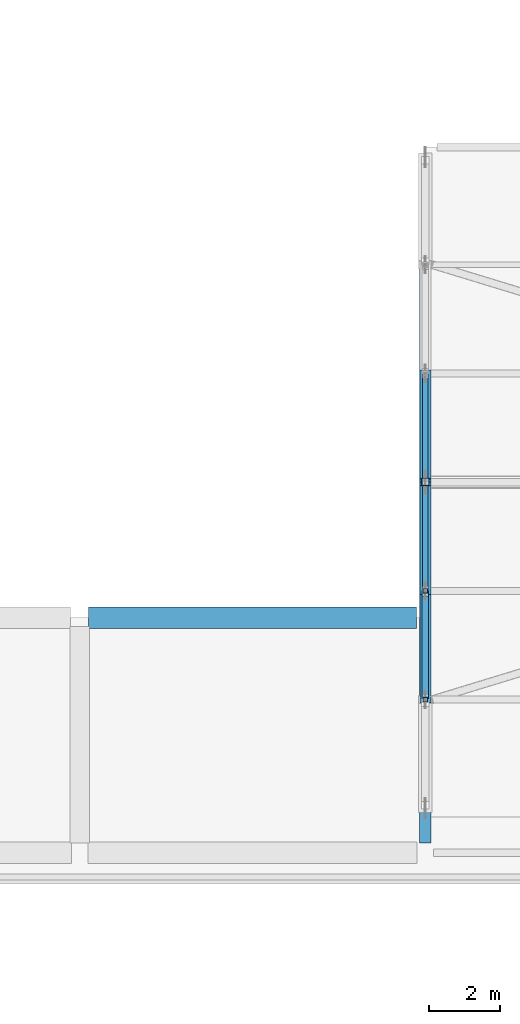
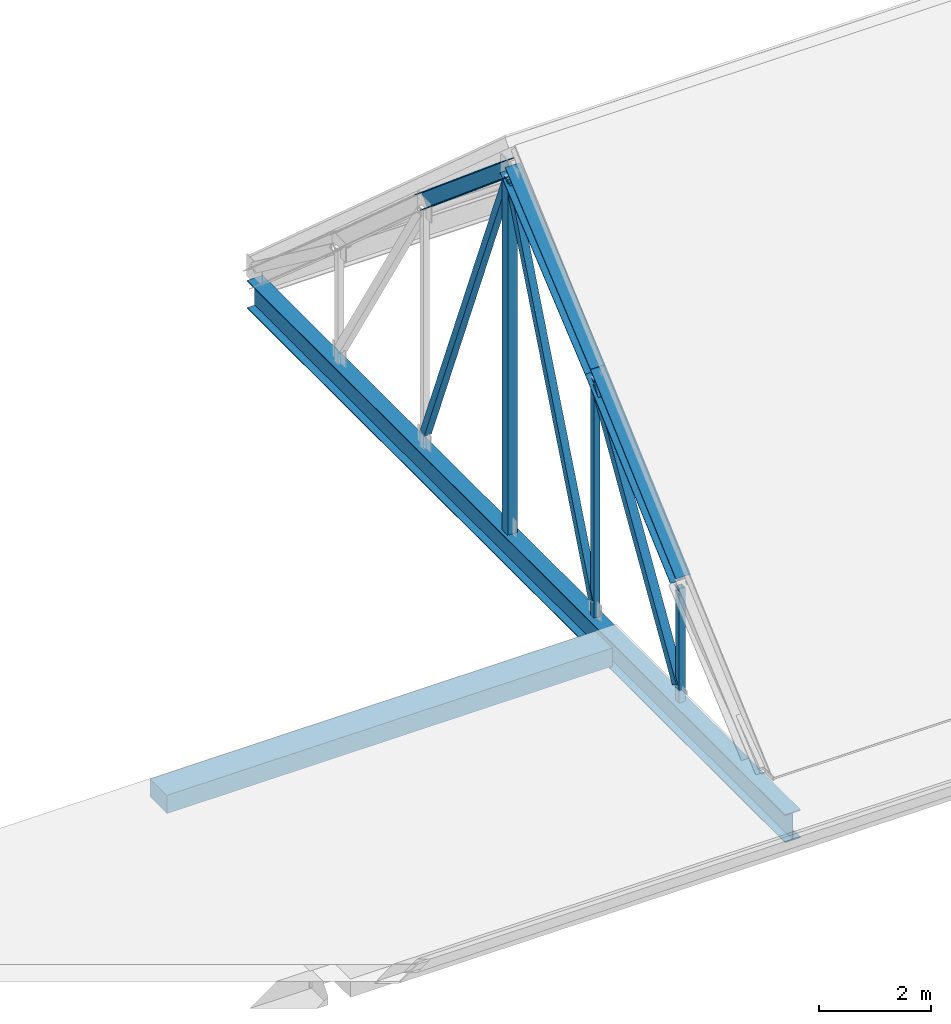
# One storey, part 11 of 86: 9 members, 2 beams.
"""IFC4 building model written with IfcOpenShell, lengths in metres."""

import ifcopenshell
import ifcopenshell.guid

model = None  # the IFC model being written
_history = None  # IfcOwnerHistory: only IFC2X3 demands one
_inside = {}  # id of a spatial element -> (the spatial element, [elements in it])
_under = {}  # id of a project, library or spatial element -> (it, [spatial elements below it])
_declared = {}  # id of a project -> (the project, [libraries it declares])
_typed = {}  # id of a type object -> (the type object, [elements of that type])
_made_of = {}  # id of a material, layer set ... -> (it, [elements and type objects made of it])


def new_model(schema):
    """Start an empty IFC model of exactly this schema.

    Asked for "IFC4X3", IfcOpenShell would pick the latest addendum, in which some entities
    have other attributes; the version numbers below select the first issue.
    IFC2X3 requires an IfcOwnerHistory on every rooted entity: one is made here for all.
    """
    global model, _history
    if schema == "IFC4X3":
        model = ifcopenshell.file(schema_version=(4, 3, 0, 0))
    else:
        model = ifcopenshell.file(schema=schema)
    _inside.clear()
    _under.clear()
    _declared.clear()
    _typed.clear()
    _made_of.clear()
    _history = None
    if model.schema == "IFC2X3":
        org = make("IfcOrganization", Name="unknown")
        user = make(
            "IfcPersonAndOrganization",
            ThePerson=make("IfcPerson", FamilyName="unknown"),
            TheOrganization=org,
        )
        app = make(
            "IfcApplication",
            ApplicationDeveloper=org,
            Version="unknown",
            ApplicationFullName="unknown",
            ApplicationIdentifier="unknown",
        )
        _history = make(
            "IfcOwnerHistory",
            OwningUser=user,
            OwningApplication=app,
            ChangeAction="ADDED",
            CreationDate=0,
        )
    return model


def make(cls, **values):
    """One entity of the class cls with the attributes given. An attribute that is None is left unset."""
    return model.create_entity(
        cls, **{name: value for name, value in values.items() if value is not None}
    )


def rooted(cls, **values):
    """An entity with a GlobalId (a new one), such as an element, a storey or a relation."""
    return make(cls, GlobalId=ifcopenshell.guid.new(), OwnerHistory=_history, **values)


def si_unit(unit_type, name, prefix=None):
    """IfcSIUnit, for example si_unit("LENGTHUNIT", "METRE", prefix="MILLI")."""
    return make("IfcSIUnit", UnitType=unit_type, Prefix=prefix, Name=name)


def derived_unit(unit_type, elements):
    """IfcDerivedUnit: a product of units, each with its exponent."""
    return make(
        "IfcDerivedUnit",
        Elements=[
            make("IfcDerivedUnitElement", Unit=unit, Exponent=power)
            for unit, power in elements
        ],
        UnitType=unit_type,
    )


def assignment(units):
    """IfcUnitAssignment: the units of a project."""
    return None if units is None else make("IfcUnitAssignment", Units=units)


def point(xyz):
    """IfcCartesianPoint."""
    return None if xyz is None else make("IfcCartesianPoint", Coordinates=xyz)


def direction(xyz):
    """IfcDirection."""
    return None if xyz is None else make("IfcDirection", DirectionRatios=xyz)


def frame(location, z_axis=None, x_axis=None):
    """IfcAxis2Placement3D, a coordinate frame: its origin and axes. An axis left out is left unset."""
    return make(
        "IfcAxis2Placement3D",
        Location=point(location),
        Axis=direction(z_axis),
        RefDirection=direction(x_axis),
    )


def frame_2d(location, x_axis=None):
    """IfcAxis2Placement2D, a coordinate frame in the plane: its origin and x axis."""
    return make(
        "IfcAxis2Placement2D", Location=point(location), RefDirection=direction(x_axis)
    )


def origin():
    """The frame at (0, 0, 0) with its axes left unset."""
    return frame((0.0, 0.0, 0.0))


def origin_2d():
    """The frame at (0, 0) in the plane with its x axis left unset."""
    return frame_2d((0.0, 0.0))


def place(relative_to, where):
    """IfcLocalPlacement: puts the frame where relative to a parent placement (None: the world)."""
    return make(
        "IfcLocalPlacement", PlacementRelTo=relative_to, RelativePlacement=where
    )


def context(
    kind, dimensions, precision=None, world=None, true_north=None, identifier=None
):
    """IfcGeometricRepresentationContext, for example the 3D "Model" context."""
    return make(
        "IfcGeometricRepresentationContext",
        ContextIdentifier=identifier,
        ContextType=kind,
        CoordinateSpaceDimension=dimensions,
        Precision=precision,
        WorldCoordinateSystem=world,
        TrueNorth=true_north,
    )


def subcontext(parent, identifier, kind, view, scale=None):
    """IfcGeometricRepresentationSubContext, for example "Body" below "Model"."""
    return make(
        "IfcGeometricRepresentationSubContext",
        ContextIdentifier=identifier,
        ContextType=kind,
        ParentContext=parent,
        TargetScale=scale,
        TargetView=view,
    )


def project(units=None, contexts=None):
    """IfcProject with its units and contexts."""
    return rooted(
        "IfcProject",
        Name="project",
        RepresentationContexts=contexts,
        UnitsInContext=assignment(units),
    )


def spatial(cls, under=None, at=None, **own):
    """A site, building, storey or space (cls), placed at a placement, below another one or the project."""
    s = rooted(cls, ObjectPlacement=at, **own)
    if under is not None:
        _under.setdefault(under.id(), (under, []))[1].append(s)
    return s


def profile(cls, at=None, kind="AREA", **sizes):
    """A parametric profile (cls). Its sizes go by their IFC names, for example OverallWidth=200.0."""
    return make(cls, ProfileType=kind, Position=at, **sizes)


def rectangle(**sizes):
    """IfcRectangleProfileDef."""
    return profile("IfcRectangleProfileDef", **sizes)


def hollow_rectangle(**sizes):
    """IfcRectangleHollowProfileDef."""
    return profile("IfcRectangleHollowProfileDef", **sizes)


def i_section(**sizes):
    """IfcIShapeProfileDef."""
    return profile("IfcIShapeProfileDef", **sizes)


def extrude(swept, where, along, depth):
    """IfcExtrudedAreaSolid: the profile swept, set in the frame where, extruded along a direction by depth."""
    return make(
        "IfcExtrudedAreaSolid",
        SweptArea=swept,
        Position=where,
        ExtrudedDirection=direction(along),
        Depth=depth,
    )


def shape(context_of_items, identifier, shape_type, items):
    """IfcShapeRepresentation: the items that make up one representation, for example the "Body"."""
    return make(
        "IfcShapeRepresentation",
        ContextOfItems=context_of_items,
        RepresentationIdentifier=identifier,
        RepresentationType=shape_type,
        Items=items,
    )


def material(Name=None, Category=None):
    """IfcMaterial."""
    return make("IfcMaterial", Name=Name, Category=Category)


def material_profile(
    of_material, cross_section, Name=None, Category=None, Priority=None
):
    """IfcMaterialProfile: a cross section and its material."""
    return make(
        "IfcMaterialProfile",
        Name=Name,
        Material=of_material,
        Profile=cross_section,
        Priority=Priority,
        Category=Category,
    )


def profile_set(profiles, Name=None, composite=None):
    """IfcMaterialProfileSet."""
    return make(
        "IfcMaterialProfileSet",
        Name=Name,
        MaterialProfiles=profiles,
        CompositeProfile=composite,
    )


def made_of(thing, what):
    """Note that an element or type object is made of a material, layer set ...; save() writes the relation."""
    if what is not None:
        _made_of.setdefault(what.id(), (what, []))[1].append(thing)
    return thing


def type_object(cls, material=None, **own):
    """A type object (cls), such as IfcWallType, which elements share."""
    return made_of(rooted(cls, **own), material)


def element(
    cls,
    number,
    at=None,
    inside=None,
    cuts=None,
    type_object=None,
    material=None,
    context=None,
    identifier="Body",
    shape_type=None,
    held_by="IfcProductDefinitionShape",
    body=None,
    shapes=None,
    **own,
):
    """One element of the class cls, such as IfcWall. Its Tag is "e" and its number.

    at: its placement. inside: the storey or other place that contains it. cuts: it is an
    opening in that element (IfcRelVoidsElement). A single representation is given by context,
    identifier, shape_type and body (its items); several are given by shapes. held_by: the class
    of the entity that holds the representations. save() writes the other relations.
    """
    e = rooted(cls, Tag="e%d" % number, ObjectPlacement=at, **own)
    if body is not None:
        shapes = [shape(context, identifier, shape_type, body)]
    if shapes is not None:
        e.Representation = make(held_by, Representations=shapes)
    if inside is not None:
        _inside.setdefault(inside.id(), (inside, []))[1].append(e)
    if cuts is not None:
        rooted(
            "IfcRelVoidsElement", RelatingBuildingElement=cuts, RelatedOpeningElement=e
        )
    if type_object is not None:
        _typed.setdefault(type_object.id(), (type_object, []))[1].append(e)
    return made_of(e, material)


def aggregate(whole, parts):
    """IfcRelAggregates: a whole, such as a stair, and the parts it consists of."""
    return rooted("IfcRelAggregates", RelatingObject=whole, RelatedObjects=parts)


def save(model, path):
    """Write the relations noted so far, then the file.

    IfcRelAggregates (storeys below a building ...), IfcRelContainedInSpatialStructure (elements
    in a storey), IfcRelDefinesByType, IfcRelAssociatesMaterial and IfcRelDeclares: one each for
    every whole, place, type object, material and project.
    """
    for whole, parts in _under.values():
        aggregate(whole, parts)
    for where, things in _inside.values():
        rooted(
            "IfcRelContainedInSpatialStructure",
            RelatedElements=things,
            RelatingStructure=where,
        )
    for kind, things in _typed.values():
        rooted("IfcRelDefinesByType", RelatedObjects=things, RelatingType=kind)
    for what, things in _made_of.values():
        rooted("IfcRelAssociatesMaterial", RelatedObjects=things, RelatingMaterial=what)
    for by, libraries in _declared.values():
        rooted("IfcRelDeclares", RelatingContext=by, RelatedDefinitions=libraries)
    model.write(path)


model = new_model("IFC4")

# Units and contexts
model_context = context("Model", 3, precision=1e-05, world=origin(), true_north=direction((0.0, 1.0)))
body_context = subcontext(model_context, "Body", "Model", "MODEL_VIEW")
ifc_project = project(units=[si_unit("LENGTHUNIT", "METRE"), si_unit("AREAUNIT", "SQUARE_METRE"), si_unit("VOLUMEUNIT", "CUBIC_METRE"), si_unit("PLANEANGLEUNIT", "RADIAN"), si_unit("MASSUNIT", "GRAM", prefix="KILO"), derived_unit("THERMALTRANSMITTANCEUNIT", [(si_unit("POWERUNIT", "WATT"), 1), (si_unit("LENGTHUNIT", "METRE"), -2), (si_unit("THERMODYNAMICTEMPERATUREUNIT", "KELVIN"), -1)])], contexts=[model_context])

# Site, building, storey
site_placement = place(None, origin())
site = spatial("IfcSite", under=ifc_project, at=site_placement, CompositionType="ELEMENT")
building_placement = place(site_placement, origin())
building = spatial("IfcBuilding", under=site, at=building_placement, Name="Braskholm Square Health Centre", CompositionType="ELEMENT")
storey_placement = place(building_placement, frame((0.0, 0.0, 13.5)))
storey = spatial("IfcBuildingStorey", under=building, at=storey_placement, Name="L04", CompositionType="ELEMENT", Elevation=13.5)

# Beams
ifc_material_1 = material(Name="Concrete C35/45 (f'c = 35 MPa)", Category="concrete")
ifc_material_profile_1 = material_profile(ifc_material_1, rectangle(XDim=0.60009765625, YDim=0.39990234375, at=origin_2d()), Name="RCB-600X400")
ifc_profile_set_1 = profile_set([ifc_material_profile_1], Name="Concrete C35/45 (f'c = 35 MPa)")
beam_type_1 = type_object("IfcBeamType", Name="PrimaryBandBeam600x400", PredefinedType="BEAM", material=ifc_profile_set_1)
beam_1_placement = place(storey_placement, frame((38.14990234375, 93.800048828125, -0.449951171875), z_axis=(1.0, 0.0, 0.0), x_axis=(0.0, 1.0, 0.0)))
element("IfcBeam", 1, at=beam_1_placement, inside=storey, type_object=beam_type_1, Name="Beam 7-8/P L04", PredefinedType="BEAM", context=body_context, shape_type="SweptSolid", body=[
    extrude(rectangle(XDim=0.60009765625, YDim=0.39990234375, at=origin_2d()), origin(), (0.0, 0.0, 1.0), 9.2001953125),
])
ifc_material_2 = material(Name="Steel ASTM A992 Grade 50", Category="steel")
ifc_material_profile_2 = material_profile(ifc_material_2, i_section(OverallWidth=0.323974609375, OverallDepth=0.612060546875, WebThickness=0.0126953125, FlangeThickness=0.01904296875, at=origin_2d()), Name="W24X104")
ifc_profile_set_2 = profile_set([ifc_material_profile_2], Name="Steel ASTM A992 Grade 50")
beam_type_2 = type_object("IfcBeamType", Name="SteelGirderHallTieW24X104", PredefinedType="BEAM", material=ifc_profile_set_2)
beam_2_placement = place(storey_placement, frame((47.60009765625, 87.47998046875, -0.580078125), z_axis=(0.0, 1.0, 0.0), x_axis=(-1.0, 0.0, 0.0)))
element("IfcBeam", 2, at=beam_2_placement, inside=storey, type_object=beam_type_2, Name="ROOF TRUSS tie girder TR-01", PredefinedType="BEAM", context=body_context, shape_type="SweptSolid", body=[
    extrude(i_section(OverallWidth=0.323974609375, OverallDepth=0.612060546875, WebThickness=0.0126953125, FlangeThickness=0.01904296875, at=origin_2d()), origin(), (0.0, 0.0, 1.0), 19.239990234375),
])

# Members
ifc_material_3 = material(Name="Steel ASTM A500 Grade C", Category="steel")
ifc_material_profile_3 = material_profile(ifc_material_3, hollow_rectangle(XDim=0.15234375, YDim=0.15234375, WallThickness=0.0087890625, at=origin_2d()), Name="HSS6X6X3/8")
ifc_profile_set_3 = profile_set([ifc_material_profile_3], Name="Steel ASTM A500 Grade C")
member_type_1 = type_object("IfcMemberType", Name="TrussCenterDiagHSS6X6", PredefinedType="BRACE", material=ifc_profile_set_3)
for number, where, z_axis, x_axis, name in (
    (3, (47.60009765625, 94.594970703125, 0.071044921875), (0.0, 0.374971294581, 0.927036422284), (-1.0, 0.0, 0.0), "ROOF TRUSS diagonal web TR-01-D3"),
    (4, (47.60009765625, 100.60498046875, 0.071044921875), (0.0, -0.374971294581, 0.927036422284), (1.0, 0.0, 0.0), "ROOF TRUSS diagonal web TR-01-D4"),
):
    element("IfcMember", number, at=place(storey_placement, frame(where, z_axis=z_axis, x_axis=x_axis)), inside=storey, type_object=member_type_1, Name=name, PredefinedType="BRACE", context=body_context, shape_type="SweptSolid", body=[
        extrude(hollow_rectangle(XDim=0.15234375, YDim=0.15234375, WallThickness=0.0087890625, at=origin_2d()), origin(), (0.0, 0.0, 1.0), 7.893798828125),
    ])
ifc_material_profile_4 = material_profile(ifc_material_2, i_section(OverallWidth=0.304931640625, OverallDepth=0.306884765625, WebThickness=0.010009765625, FlangeThickness=0.015380859375, at=origin_2d()), Name="W12X65")
ifc_profile_set_4 = profile_set([ifc_material_profile_4], Name="Steel ASTM A992 Grade 50")
member_type_2 = type_object("IfcMemberType", Name="TrussHipChordW12X65", PredefinedType="CHORD", material=ifc_profile_set_4)
member_1_placement = place(storey_placement, frame((47.60009765625, 91.5, 2.382080078125), z_axis=(0.0, 0.746426169494, 0.665468236278), x_axis=(-1.0, 0.0, 0.0)))
element("IfcMember", 5, at=member_1_placement, inside=storey, type_object=member_type_2, Name="ROOF TRUSS top chord TR-01-2", PredefinedType="CHORD", context=body_context, shape_type="SweptSolid", body=[
    extrude(i_section(OverallWidth=0.304931640625, OverallDepth=0.306884765625, WebThickness=0.010009765625, FlangeThickness=0.015380859375, at=origin_2d()), origin(), (0.0, 0.0, 1.0), 4.086181640625),
])
member_2_placement = place(storey_placement, frame((47.60009765625, 94.550048828125, 5.101318359375), z_axis=(0.0, 0.766131151452, 0.642684260563), x_axis=(-1.0, 0.0, 0.0)))
element("IfcMember", 6, at=member_2_placement, inside=storey, type_object=member_type_2, Name="ROOF TRUSS top chord TR-01-3", PredefinedType="CHORD", context=body_context, shape_type="SweptSolid", body=[
    extrude(i_section(OverallWidth=0.304931640625, OverallDepth=0.306884765625, WebThickness=0.010009765625, FlangeThickness=0.015380859375, at=origin_2d()), origin(), (0.0, 0.0, 1.0), 3.981201171875),
])
member_3_placement = place(storey_placement, frame((47.60009765625, 97.60009765625, 7.659912109375), z_axis=(0.0, 0.766105819869, -0.642714456631), x_axis=(-1.0, 0.0, 0.0)))
element("IfcMember", 7, at=member_3_placement, inside=storey, type_object=member_type_2, Name="ROOF TRUSS top chord TR-01-4", PredefinedType="CHORD", context=body_context, shape_type="SweptSolid", body=[
    extrude(i_section(OverallWidth=0.304931640625, OverallDepth=0.306884765625, WebThickness=0.010009765625, FlangeThickness=0.015380859375, at=origin_2d()), origin(), (0.0, 0.0, 1.0), 3.98095703125),
])
ifc_material_profile_5 = material_profile(ifc_material_3, hollow_rectangle(XDim=0.177734375, YDim=0.177734375, WallThickness=0.0087890625, at=origin_2d()), Name="HSS7X7X3/8")
ifc_profile_set_5 = profile_set([ifc_material_profile_5], Name="Steel ASTM A500 Grade C")
member_type_3 = type_object("IfcMemberType", Name="TrussInnerDiagHSS7X7", PredefinedType="BRACE", material=ifc_profile_set_5)
member_4_placement = place(storey_placement, frame((47.60009765625, 91.56298828125, 0.06201171875), z_axis=(0.0, 0.522065213128, 0.852905571117), x_axis=(-1.0, 0.0, 0.0)))
element("IfcMember", 8, at=member_4_placement, inside=storey, type_object=member_type_3, Name="ROOF TRUSS diagonal web TR-01-D2", PredefinedType="BRACE", context=body_context, shape_type="SweptSolid", body=[
    extrude(hollow_rectangle(XDim=0.177734375, YDim=0.177734375, WallThickness=0.0087890625, at=origin_2d()), origin(), (0.0, 0.0, 1.0), 5.60107421875),
])
ifc_material_profile_6 = material_profile(ifc_material_3, hollow_rectangle(XDim=0.126953125, YDim=0.126953125, WallThickness=0.00732421875, at=origin_2d()), Name="HSS5X5X5/16")
ifc_profile_set_6 = profile_set([ifc_material_profile_6], Name="Steel ASTM A500 Grade C")
member_type_4 = type_object("IfcMemberType", Name="TrussVerticalStrutHSS5X5", PredefinedType="STRUT", material=ifc_profile_set_6)
member_5_placement = place(storey_placement, frame((47.60009765625, 91.5, -0.27001953125), z_axis=(0.0, 0.0, 1.0), x_axis=(1.0, 0.0, 0.0)))
element("IfcMember", 9, at=member_5_placement, inside=storey, type_object=member_type_4, Name="ROOF TRUSS vertical strut TR-01-V1", PredefinedType="STRUT", context=body_context, shape_type="SweptSolid", body=[
    extrude(hollow_rectangle(XDim=0.126953125, YDim=0.126953125, WallThickness=0.00732421875, at=origin_2d()), origin(), (0.0, 0.0, 1.0), 2.4921875),
])
member_6_placement = place(storey_placement, frame((47.60009765625, 94.550048828125, -0.27001953125), z_axis=(0.0, 0.0, 1.0), x_axis=(1.0, 0.0, 0.0)))
element("IfcMember", 10, at=member_6_placement, inside=storey, type_object=member_type_4, Name="ROOF TRUSS vertical strut TR-01-V2", PredefinedType="STRUT", context=body_context, shape_type="SweptSolid", body=[
    extrude(hollow_rectangle(XDim=0.126953125, YDim=0.126953125, WallThickness=0.00732421875, at=origin_2d()), origin(), (0.0, 0.0, 1.0), 5.21142578125),
])
ifc_material_profile_7 = material_profile(ifc_material_3, hollow_rectangle(XDim=0.203125, YDim=0.203125, WallThickness=0.0087890625, at=origin_2d()), Name="HSS8X8X3/8")
ifc_profile_set_7 = profile_set([ifc_material_profile_7], Name="Steel ASTM A500 Grade C")
member_type_5 = type_object("IfcMemberType", Name="TrussVerticalStrutHSS8X8", PredefinedType="STRUT", material=ifc_profile_set_7)
member_7_placement = place(storey_placement, frame((47.60009765625, 97.60009765625, -0.27001953125), z_axis=(0.0, 0.0, 1.0), x_axis=(1.0, 0.0, 0.0)))
element("IfcMember", 11, at=member_7_placement, inside=storey, type_object=member_type_5, Name="ROOF TRUSS vertical strut TR-01-V3", PredefinedType="STRUT", context=body_context, shape_type="SweptSolid", body=[
    extrude(hollow_rectangle(XDim=0.203125, YDim=0.203125, WallThickness=0.0087890625, at=origin_2d()), origin(), (0.0, 0.0, 1.0), 7.77001953125),
])

save(model, "model.ifc")
